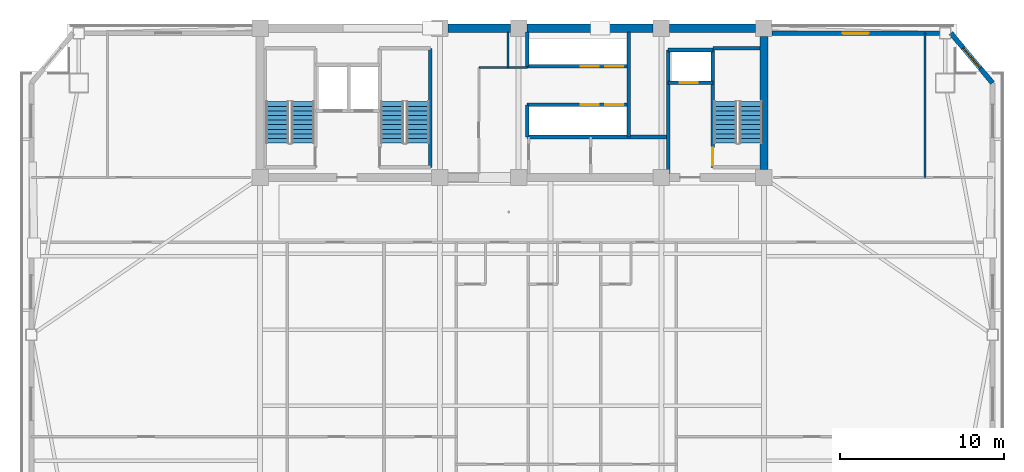
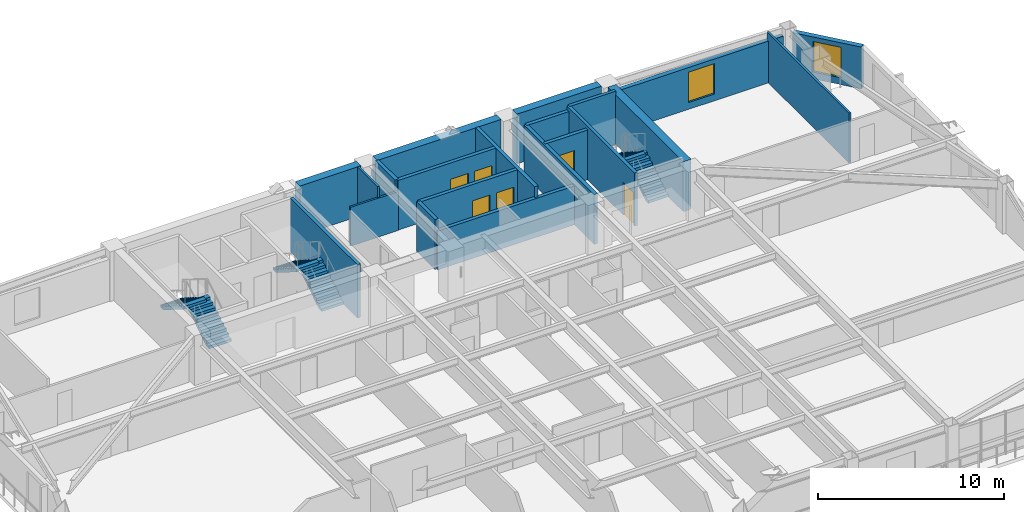
# One storey, part 10 of 15: 21 walls, 6 doors, 6 stair flights, 2 windows, 8 openings, 3 elements without a shape of their own.
"""IFC4 building model written with IfcOpenShell, lengths in metres."""

from ifc_helpers import new_model, si_unit, direction, frame, frame_2d, origin, place, context, subcontext, project, spatial, polyline, rectangle, outline, extrude, source, transform, mapped, material, layer, layer_set, type_object, element, fill, aggregate, save


model = new_model("IFC4")

# Units and contexts
model_context = context("Model", 3, precision=1e-05, world=origin(), true_north=direction((0.0, 1.0)))
body_context = subcontext(model_context, "Body", "Model", "MODEL_VIEW")
ifc_project = project(units=[si_unit("LENGTHUNIT", "METRE"), si_unit("AREAUNIT", "SQUARE_METRE"), si_unit("VOLUMEUNIT", "CUBIC_METRE"), si_unit("PLANEANGLEUNIT", "RADIAN"), si_unit("MASSUNIT", "GRAM", prefix="KILO")], contexts=[model_context])

# Site, building, storey
site_placement = place(None, origin())
site = spatial("IfcSite", under=ifc_project, at=site_placement, CompositionType="ELEMENT")
building_placement = place(site_placement, origin())
building = spatial("IfcBuilding", under=site, at=building_placement, Name="Giltprow Tower", CompositionType="ELEMENT")
storey_placement = place(building_placement, frame((0.0, 0.0, 173.699951171875)))
storey = spatial("IfcBuildingStorey", under=building, at=storey_placement, Name="L43", CompositionType="ELEMENT", Elevation=173.699951171875)

# Wall, opening, window
ifc_material_1 = material(Name="Precast concrete C40", Category="concrete")
ifc_layer_1 = layer(ifc_material_1, 0.300048828125, Name="Precast concrete C40")
ifc_layer_set_1 = layer_set([ifc_layer_1], Name="Precast concrete C40")
wall_type_1 = type_object("IfcWallType", Name="EW-NOTCH-CHAMFER-300", PredefinedType="SOLIDWALL", material=ifc_layer_set_1)
wall_1_placement = place(storey_placement, frame((64.48095703125, 43.212890625, 0.0), z_axis=(0.0, 0.0, 1.0), x_axis=(-0.641069950716, 0.767482454711, 0.0)))
wall_1 = element("IfcWall", 1, at=wall_1_placement, inside=storey, type_object=wall_type_1, Name="L43 Corner Notch Wall NE", PredefinedType="SOLIDWALL", context=body_context, shape_type="SweptSolid", body=[
    extrude(rectangle(XDim=3.957275390625, YDim=0.300048828125, at=frame_2d((1.978515625, 0.0))), origin(), (0.0, 0.0, 1.0), 2.75),
])
opening_1_placement = place(wall_1_placement, frame((1.178955078125, 0.0, 0.449951171875)))
opening_1 = element("IfcOpeningElement", 2, at=opening_1_placement, cuts=wall_1, Name="Opening WN17", PredefinedType="OPENING", context=body_context, shape_type="SweptSolid", body=[
    extrude(rectangle(XDim=1.60009765625, YDim=2.0, at=frame_2d((0.800048828125, 1.0))), frame((0.0, 0.159912109375, 0.0), z_axis=(0.0, -1.0, 0.0), x_axis=(1.0, 0.0, 0.0)), (0.0, 0.0, 1.0), 0.320068359375),
])
ifc_material_2 = material(Name="Insulated glass", Category="glass")
window_type = type_object("IfcWindowType", Name="WN-COR-1600x2000", PartitioningType="SINGLE_PANEL", PredefinedType="WINDOW", material=ifc_material_2)
shared_shape_1 = source(origin(), body_context, "Body", "SweptSolid", [
    extrude(rectangle(XDim=1.60009765625, YDim=2.0, at=frame_2d((0.800048828125, 1.0))), frame((0.0, 0.030029296875, 0.0), z_axis=(0.0, -1.0, 0.0), x_axis=(1.0, 0.0, 0.0)), (0.0, 0.0, 1.0), 0.06005859375),
])
window_1_placement = place(opening_1_placement, origin())
window_1 = element("IfcWindow", 3, at=window_1_placement, inside=storey, type_object=window_type, Name="L43 Corner Notch Window NE", OverallHeight=2.0, OverallWidth=1.60009765625, PartitioningType="SINGLE_PANEL", PredefinedType="WINDOW", context=body_context, shape_type="MappedRepresentation", body=[
    mapped(shared_shape_1, transform((0.0, 0.0, 0.0), x_axis=(1.0, 0.0, 0.0), y_axis=(0.0, 1.0, 0.0), z_axis=(0.0, 0.0, 1.0), scale=1.0)),
])
fill(opening_1, window_1)

ifc_layer_2 = layer(ifc_material_1, 0.280029296875, Name="Precast concrete C40")
ifc_layer_set_2 = layer_set([ifc_layer_2], Name="Precast concrete C40")
wall_type_2 = type_object("IfcWallType", Name="EW-TOW-BRONZE-280", PredefinedType="SOLIDWALL", material=ifc_layer_set_2)
wall_2_placement = place(storey_placement, frame((51.050048828125, 46.25, 0.0), z_axis=(0.0, 0.0, 1.0), x_axis=(1.0, 0.0, 0.0)))
wall_2 = element("IfcWall", 4, at=wall_2_placement, inside=storey, type_object=wall_type_2, Name="L43 North-East Wing Wall", PredefinedType="SOLIDWALL", context=body_context, shape_type="SweptSolid", body=[
    extrude(rectangle(XDim=10.19384765625, YDim=0.280029296875, at=frame_2d((5.096923828125, 0.0))), origin(), (0.0, 0.0, 1.0), 2.75),
])
opening_2_placement = place(wall_2_placement, frame((4.297119140625, 0.0, 0.449951171875)))
opening_2 = element("IfcOpeningElement", 5, at=opening_2_placement, cuts=wall_2, Name="Opening WN17", PredefinedType="OPENING", context=body_context, shape_type="SweptSolid", body=[
    extrude(rectangle(XDim=1.60009765625, YDim=2.0, at=frame_2d((0.800048828125, 1.0))), frame((0.0, 0.14990234375, 0.0), z_axis=(0.0, -1.0, 0.0), x_axis=(1.0, 0.0, 0.0)), (0.0, 0.0, 1.0), 0.300048828125),
])
window_2_placement = place(opening_2_placement, origin())
window_2 = element("IfcWindow", 6, at=window_2_placement, inside=storey, type_object=window_type, Name="L43 North-East Window", OverallHeight=2.0, OverallWidth=1.60009765625, PartitioningType="SINGLE_PANEL", PredefinedType="WINDOW", context=body_context, shape_type="MappedRepresentation", body=[
    mapped(shared_shape_1, transform((0.0, 0.0, 0.0), x_axis=(1.0, 0.0, 0.0), y_axis=(0.0, 1.0, 0.0), z_axis=(0.0, 0.0, 1.0), scale=1.0)),
])
fill(opening_2, window_2)

# Wall, opening, door
ifc_material_3 = material(Name="Concrete C40", Category="concrete")
ifc_layer_3 = layer(ifc_material_3, 0.219970703125, Name="Concrete C40")
ifc_layer_set_3 = layer_set([ifc_layer_3], Name="Concrete C40")
wall_type_3 = type_object("IfcWallType", Name="IW-SHAFT-220", PredefinedType="SOLIDWALL", material=ifc_layer_set_3)
wall_3_placement = place(storey_placement, frame((44.719970703125, 43.219970703125, 0.0), z_axis=(0.0, 0.0, 1.0), x_axis=(1.0, 0.0, 0.0)))
wall_3 = element("IfcWall", 7, at=wall_3_placement, inside=storey, type_object=wall_type_3, Name="L43 FFL2 Front Shaft Wall", PredefinedType="SOLIDWALL", context=body_context, shape_type="SweptSolid", body=[
    extrude(rectangle(XDim=2.719970703125, YDim=0.219970703125, at=frame_2d((1.35986328125, 0.0))), origin(), (0.0, 0.0, 1.0), 3.27001953125),
])
opening_3_placement = place(wall_3_placement, frame((0.699951171875, 0.0, 0.0)))
opening_3 = element("IfcOpeningElement", 8, at=opening_3_placement, cuts=wall_3, Name="Opening LD-11", PredefinedType="OPENING", context=body_context, shape_type="SweptSolid", body=[
    extrude(rectangle(XDim=1.10009765625, YDim=2.199951171875, at=frame_2d((0.550048828125, 1.10009765625))), frame((0.0, 0.119873046875, 0.0), z_axis=(0.0, -1.0, 0.0), x_axis=(1.0, 0.0, 0.0)), (0.0, 0.0, 1.0), 0.239990234375),
])
ifc_material_4 = material(Name="Stainless steel", Category="steel")
door_type_1 = type_object("IfcDoorType", Name="DR-LIFT-LD1100", OperationType="SLIDING_TO_LEFT", PredefinedType="DOOR", material=ifc_material_4)
shared_shape_2 = source(origin(), body_context, "Body", "SweptSolid", [
    extrude(rectangle(XDim=1.10009765625, YDim=2.199951171875, at=frame_2d((0.550048828125, 1.10009765625))), frame((0.0, 0.02490234375, 0.0), z_axis=(0.0, -1.0, 0.0), x_axis=(1.0, 0.0, 0.0)), (0.0, 0.0, 1.0), 0.050048828125),
])
door_1_placement = place(opening_3_placement, origin())
door_1 = element("IfcDoor", 9, at=door_1_placement, inside=storey, type_object=door_type_1, Name="L43 FFL2 Landing Door", OperationType="SLIDING_TO_LEFT", OverallHeight=2.199951171875, OverallWidth=1.10009765625, PredefinedType="DOOR", context=body_context, shape_type="MappedRepresentation", body=[
    mapped(shared_shape_2, transform((0.0, 0.0, 0.0), x_axis=(1.0, 0.0, 0.0), y_axis=(0.0, 1.0, 0.0), z_axis=(0.0, 0.0, 1.0), scale=1.0)),
])
fill(opening_3, door_1)

# Walls
wall_4_placement = place(storey_placement, frame((44.719970703125, 45.219970703125, 0.0), z_axis=(0.0, 0.0, 1.0), x_axis=(1.0, 0.0, 0.0)))
element("IfcWall", 10, at=wall_4_placement, inside=storey, type_object=wall_type_3, Name="L43 FFL2 Back Shaft Wall", PredefinedType="SOLIDWALL", context=body_context, shape_type="SweptSolid", body=[
    extrude(rectangle(XDim=2.719970703125, YDim=0.219970703125, at=frame_2d((1.35986328125, 0.0))), origin(), (0.0, 0.0, 1.0), 3.27001953125),
])
wall_5_placement = place(storey_placement, frame((44.719970703125, 37.679931640625, 0.0), z_axis=(0.0, 0.0, 1.0), x_axis=(0.0, 1.0, 0.0)))
element("IfcWall", 11, at=wall_5_placement, inside=storey, type_object=wall_type_3, Name="L43 East Firefighting Lobby West Wall", PredefinedType="SOLIDWALL", context=body_context, shape_type="SweptSolid", body=[
    extrude(rectangle(XDim=7.5400390625, YDim=0.219970703125, at=frame_2d((3.77001953125, 0.0))), origin(), (0.0, 0.0, 1.0), 3.27001953125),
])

# Wall, openings, doors
wall_6_placement = place(storey_placement, frame((36.1201171875, 44.219970703125, 0.0), z_axis=(0.0, 0.0, 1.0), x_axis=(1.0, 0.0, 0.0)))
wall_6 = element("IfcWall", 12, at=wall_6_placement, inside=storey, type_object=wall_type_3, Name="L43 Mid-Rise Lift Shaft Front Wall N", PredefinedType="SOLIDWALL", context=body_context, shape_type="SweptSolid", body=[
    extrude(rectangle(XDim=6.199951171875, YDim=0.219970703125, at=frame_2d((3.10009765625, 0.0))), origin(), (0.0, 0.0, 1.0), 3.27001953125),
])
opening_4_placement = place(wall_6_placement, frame((3.280029296875, 0.0, 0.0)))
opening_4 = element("IfcOpeningElement", 13, at=opening_4_placement, cuts=wall_6, Name="Opening LD-11", PredefinedType="OPENING", context=body_context, shape_type="SweptSolid", body=[
    extrude(rectangle(XDim=1.10009765625, YDim=2.199951171875, at=frame_2d((0.550048828125, 1.10009765625))), frame((0.0, 0.119873046875, 0.0), z_axis=(0.0, -1.0, 0.0), x_axis=(1.0, 0.0, 0.0)), (0.0, 0.0, 1.0), 0.239990234375),
])
opening_5_placement = place(wall_6_placement, frame((4.77001953125, 0.0, 0.0)))
opening_5 = element("IfcOpeningElement", 14, at=opening_5_placement, cuts=wall_6, Name="Opening LD-11", PredefinedType="OPENING", context=body_context, shape_type="SweptSolid", body=[
    extrude(rectangle(XDim=1.10009765625, YDim=2.199951171875, at=frame_2d((0.550048828125, 1.10009765625))), frame((0.0, 0.119873046875, 0.0), z_axis=(0.0, -1.0, 0.0), x_axis=(1.0, 0.0, 0.0)), (0.0, 0.0, 1.0), 0.239990234375),
])
door_2_placement = place(opening_4_placement, origin())
door_2 = element("IfcDoor", 15, at=door_2_placement, inside=storey, type_object=door_type_1, Name="L43 PL-M1 Landing Door", OperationType="SLIDING_TO_LEFT", OverallHeight=2.199951171875, OverallWidth=1.10009765625, PredefinedType="DOOR", context=body_context, shape_type="MappedRepresentation", body=[
    mapped(shared_shape_2, transform((0.0, 0.0, 0.0), x_axis=(1.0, 0.0, 0.0), y_axis=(0.0, 1.0, 0.0), z_axis=(0.0, 0.0, 1.0), scale=1.0)),
])
fill(opening_4, door_2)
door_3_placement = place(opening_5_placement, origin())
door_3 = element("IfcDoor", 16, at=door_3_placement, inside=storey, type_object=door_type_1, Name="L43 PL-M2 Landing Door", OperationType="SLIDING_TO_LEFT", OverallHeight=2.199951171875, OverallWidth=1.10009765625, PredefinedType="DOOR", context=body_context, shape_type="MappedRepresentation", body=[
    mapped(shared_shape_2, transform((0.0, 0.0, 0.0), x_axis=(1.0, 0.0, 0.0), y_axis=(0.0, 1.0, 0.0), z_axis=(0.0, 0.0, 1.0), scale=1.0)),
])
fill(opening_5, door_3)

wall_7_placement = place(storey_placement, frame((36.1201171875, 41.8798828125, 0.0), z_axis=(0.0, 0.0, 1.0), x_axis=(1.0, 0.0, 0.0)))
wall_7 = element("IfcWall", 17, at=wall_7_placement, inside=storey, type_object=wall_type_3, Name="L43 Mid-Rise Lift Shaft Front Wall S", PredefinedType="SOLIDWALL", context=body_context, shape_type="SweptSolid", body=[
    extrude(rectangle(XDim=6.199951171875, YDim=0.219970703125, at=frame_2d((3.10009765625, 0.0))), origin(), (0.0, 0.0, 1.0), 3.27001953125),
])
opening_6_placement = place(wall_7_placement, frame((3.280029296875, 0.0, 0.0)))
opening_6 = element("IfcOpeningElement", 18, at=opening_6_placement, cuts=wall_7, Name="Opening LD-11", PredefinedType="OPENING", context=body_context, shape_type="SweptSolid", body=[
    extrude(rectangle(XDim=1.10009765625, YDim=2.199951171875, at=frame_2d((0.550048828125, 1.10009765625))), frame((0.0, 0.119873046875, 0.0), z_axis=(0.0, -1.0, 0.0), x_axis=(1.0, 0.0, 0.0)), (0.0, 0.0, 1.0), 0.239990234375),
])
opening_7_placement = place(wall_7_placement, frame((4.77001953125, 0.0, 0.0)))
opening_7 = element("IfcOpeningElement", 19, at=opening_7_placement, cuts=wall_7, Name="Opening LD-11", PredefinedType="OPENING", context=body_context, shape_type="SweptSolid", body=[
    extrude(rectangle(XDim=1.10009765625, YDim=2.199951171875, at=frame_2d((0.550048828125, 1.10009765625))), frame((0.0, 0.119873046875, 0.0), z_axis=(0.0, -1.0, 0.0), x_axis=(1.0, 0.0, 0.0)), (0.0, 0.0, 1.0), 0.239990234375),
])
door_4_placement = place(opening_6_placement, origin())
door_4 = element("IfcDoor", 20, at=door_4_placement, inside=storey, type_object=door_type_1, Name="L43 PL-M3 Landing Door", OperationType="SLIDING_TO_LEFT", OverallHeight=2.199951171875, OverallWidth=1.10009765625, PredefinedType="DOOR", context=body_context, shape_type="MappedRepresentation", body=[
    mapped(shared_shape_2, transform((0.0, 0.0, 0.0), x_axis=(1.0, 0.0, 0.0), y_axis=(0.0, 1.0, 0.0), z_axis=(0.0, 0.0, 1.0), scale=1.0)),
])
fill(opening_6, door_4)
door_5_placement = place(opening_7_placement, origin())
door_5 = element("IfcDoor", 21, at=door_5_placement, inside=storey, type_object=door_type_1, Name="L43 PL-M4 Landing Door", OperationType="SLIDING_TO_LEFT", OverallHeight=2.199951171875, OverallWidth=1.10009765625, PredefinedType="DOOR", context=body_context, shape_type="MappedRepresentation", body=[
    mapped(shared_shape_2, transform((0.0, 0.0, 0.0), x_axis=(1.0, 0.0, 0.0), y_axis=(0.0, 1.0, 0.0), z_axis=(0.0, 0.0, 1.0), scale=1.0)),
])
fill(opening_7, door_5)

# Walls
wall_8_placement = place(storey_placement, frame((36.1201171875, 39.919921875, 0.0), z_axis=(0.0, 0.0, 1.0), x_axis=(1.0, 0.0, 0.0)))
element("IfcWall", 22, at=wall_8_placement, inside=storey, type_object=wall_type_3, Name="L43 Mid-Rise South Lift Back Wall", PredefinedType="SOLIDWALL", context=body_context, shape_type="SweptSolid", body=[
    extrude(rectangle(XDim=8.599853515625, YDim=0.219970703125, at=frame_2d((4.2998046875, 0.0))), origin(), (0.0, 0.0, 1.0), 2.554931640625),
])
wall_9_placement = place(storey_placement, frame((42.320068359375, 39.919921875, 0.0), z_axis=(0.0, 0.0, 1.0), x_axis=(0.0, 1.0, 0.0)))
element("IfcWall", 23, at=wall_9_placement, inside=storey, type_object=wall_type_3, Name="L43 Mid-Rise Lift Bank East Closure", PredefinedType="SOLIDWALL", context=body_context, shape_type="SweptSolid", body=[
    extrude(rectangle(XDim=6.400146484375, YDim=0.219970703125, at=frame_2d((3.2001953125, 0.0))), origin(), (0.0, 0.0, 1.0), 3.27001953125),
])
wall_10_placement = place(storey_placement, frame((36.1201171875, 39.919921875, 0.0), z_axis=(0.0, 0.0, 1.0), x_axis=(0.0, 1.0, 0.0)))
element("IfcWall", 24, at=wall_10_placement, inside=storey, type_object=wall_type_3, Name="L43 Mid-Rise South Lift West Closure", PredefinedType="SOLIDWALL", context=body_context, shape_type="SweptSolid", body=[
    extrude(rectangle(XDim=1.9599609375, YDim=0.219970703125, at=frame_2d((0.97998046875, 0.0))), origin(), (0.0, 0.0, 1.0), 3.27001953125),
])
wall_11_placement = place(storey_placement, frame((36.1201171875, 44.219970703125, 0.0), z_axis=(0.0, 0.0, 1.0), x_axis=(0.0, 1.0, 0.0)))
element("IfcWall", 25, at=wall_11_placement, inside=storey, type_object=wall_type_3, Name="L43 Mid-Rise North Lift West Closure", PredefinedType="SOLIDWALL", context=body_context, shape_type="SweptSolid", body=[
    extrude(rectangle(XDim=2.10009765625, YDim=0.219970703125, at=frame_2d((1.050048828125, 0.0))), origin(), (0.0, 0.0, 1.0), 3.27001953125),
])
ifc_layer_4 = layer(ifc_material_3, 0.199951171875, Name="Concrete C40")
ifc_layer_set_4 = layer_set([ifc_layer_4], Name="Concrete C40")
wall_type_4 = type_object("IfcWallType", Name="IW-STAIR-200", PredefinedType="SOLIDWALL", material=ifc_layer_set_4)
wall_12_placement = place(storey_placement, frame((30.219970703125, 38.070068359375, 0.0), z_axis=(0.0, 0.0, 1.0), x_axis=(0.0, 1.0, 0.0)))
element("IfcWall", 26, at=wall_12_placement, inside=storey, type_object=wall_type_4, Name="L43 Stair ST-2 East Bearing Wall", PredefinedType="SOLIDWALL", context=body_context, shape_type="SweptSolid", body=[
    extrude(rectangle(XDim=7.25, YDim=0.199951171875, at=frame_2d((3.625, 0.0))), origin(), (0.0, 0.0, 1.0), 3.5),
])

# Wall, opening, door
wall_13_placement = place(storey_placement, frame((47.43994140625, 38.070068359375, 0.0), z_axis=(0.0, 0.0, 1.0), x_axis=(0.0, 1.0, 0.0)))
wall_13 = element("IfcWall", 27, at=wall_13_placement, inside=storey, type_object=wall_type_4, Name="L43 Stair ST-3 West Bearing Wall", PredefinedType="SOLIDWALL", context=body_context, shape_type="SweptSolid", body=[
    extrude(rectangle(XDim=7.25, YDim=0.199951171875, at=frame_2d((3.625, 0.0))), origin(), (0.0, 0.0, 1.0), 3.5),
])
opening_8_placement = place(wall_13_placement, frame((0.110107421875, 0.0, 0.0)))
opening_8 = element("IfcOpeningElement", 28, at=opening_8_placement, cuts=wall_13, Name="Opening ID33", PredefinedType="OPENING", context=body_context, shape_type="SweptSolid", body=[
    extrude(rectangle(XDim=1.10009765625, YDim=2.14990234375, at=frame_2d((0.550048828125, 1.074951171875))), frame((0.0, 0.10986328125, 0.0), z_axis=(0.0, -1.0, 0.0), x_axis=(1.0, 0.0, 0.0)), (0.0, 0.0, 1.0), 0.219970703125),
])
ifc_material_5 = material(Name="Steel fire leaf", Category="steel")
door_type_2 = type_object("IfcDoorType", Name="DR-STAIR-1100", OperationType="SINGLE_SWING_LEFT", PredefinedType="DOOR", material=ifc_material_5)
shared_shape_3 = source(origin(), body_context, "Body", "SweptSolid", [
    extrude(rectangle(XDim=1.10009765625, YDim=2.14990234375, at=frame_2d((0.550048828125, 1.074951171875))), frame((0.0, 0.02490234375, 0.0), z_axis=(0.0, -1.0, 0.0), x_axis=(1.0, 0.0, 0.0)), (0.0, 0.0, 1.0), 0.050048828125),
])
door_6_placement = place(opening_8_placement, origin())
door_6 = element("IfcDoor", 29, at=door_6_placement, inside=storey, type_object=door_type_2, Name="L43 Stair ST-3 Fire Door", OperationType="SINGLE_SWING_LEFT", OverallHeight=2.14990234375, OverallWidth=1.10009765625, PredefinedType="DOOR", context=body_context, shape_type="MappedRepresentation", body=[
    mapped(shared_shape_3, transform((0.0, 0.0, 0.0), x_axis=(1.0, 0.0, 0.0), y_axis=(0.0, 1.0, 0.0), z_axis=(0.0, 0.0, 1.0), scale=1.0)),
])
fill(opening_8, door_6)

# Walls
wall_14_placement = place(storey_placement, frame((47.43994140625, 45.320068359375, 0.0), z_axis=(0.0, 0.0, 1.0), x_axis=(1.0, 0.0, 0.0)))
element("IfcWall", 30, at=wall_14_placement, inside=storey, type_object=wall_type_4, Name="L43 Stair ST-3 North Bearing Wall", PredefinedType="SOLIDWALL", context=body_context, shape_type="SweptSolid", body=[
    extrude(rectangle(XDim=2.880126953125, YDim=0.199951171875, at=frame_2d((1.43994140625, 0.0))), origin(), (0.0, 0.0, 1.0), 3.5),
])
ifc_material_6 = material(Name="Concrete C30", Category="concrete")
ifc_layer_5 = layer(ifc_material_6, 0.1298828125, Name="Concrete C30")
ifc_layer_set_5 = layer_set([ifc_layer_5], Name="Concrete C30")
wall_type_5 = type_object("IfcWallType", Name="IW-WET-130", PredefinedType="PARTITIONING", material=ifc_layer_set_5)
wall_15_placement = place(storey_placement, frame((34.949951171875, 44.14990234375, 0.0), z_axis=(0.0, 0.0, 1.0), x_axis=(0.0, 1.0, 0.0)))
element("IfcWall", 31, at=wall_15_placement, inside=storey, type_object=wall_type_5, Name="L43 Reclaimed North Pocket East Wall", PredefinedType="PARTITIONING", context=body_context, shape_type="SweptSolid", body=[
    extrude(rectangle(XDim=2.170166015625, YDim=0.1298828125, at=frame_2d((1.0849609375, 0.0))), origin(), (0.0, 0.0, 1.0), 3.27001953125),
])
wall_16_placement = place(storey_placement, frame((33.179931640625, 44.14990234375, 0.0), z_axis=(0.0, 0.0, 1.0), x_axis=(1.0, 0.0, 0.0)))
element("IfcWall", 32, at=wall_16_placement, inside=storey, type_object=wall_type_5, Name="L43 Reclaimed North Pocket South Wall", PredefinedType="PARTITIONING", context=body_context, shape_type="SweptSolid", body=[
    extrude(rectangle(XDim=2.969970703125, YDim=0.1298828125, at=frame_2d((1.48486328125, 0.0))), origin(), (0.0, 0.0, 1.0), 2.554931640625),
])
wall_17_placement = place(storey_placement, frame((60.3720703125, 37.449951171875, 0.0), z_axis=(0.0, 0.0, 1.0), x_axis=(0.0, 1.0, 0.0)))
element("IfcWall", 33, at=wall_17_placement, inside=storey, type_object=wall_type_5, Name="L43 NE Wing Divider", PredefinedType="PARTITIONING", context=body_context, shape_type="SweptSolid", body=[
    extrude(rectangle(XDim=8.800048828125, YDim=0.1298828125, at=frame_2d((4.39990234375, 0.0))), origin(), (0.0, 0.0, 1.0), 3.27001953125),
])
ifc_material_7 = material(Name="Concrete C50", Category="concrete")
ifc_layer_6 = layer(ifc_material_7, 0.5, Name="Concrete C50")
ifc_layer_set_6 = layer_set([ifc_layer_6], Name="Concrete C50")
wall_type_6 = type_object("IfcWallType", Name="SW-EXT-500-C50", PredefinedType="SHEAR", material=ifc_layer_set_6)
wall_18_placement = place(storey_placement, frame((31.300048828125, 46.550048828125, 0.0), z_axis=(0.0, 0.0, 1.0), x_axis=(1.0, 0.0, 0.0)))
element("IfcWall", 34, at=wall_18_placement, inside=storey, type_object=wall_type_6, Name="L43 North Rear Core Shear Wall 2", PredefinedType="SHEAR", context=body_context, shape_type="SweptSolid", body=[
    extrude(rectangle(XDim=3.800048828125, YDim=0.5, at=frame_2d((1.89990234375, 0.0))), origin(), (0.0, 0.0, 1.0), 3.27001953125),
])
wall_19_placement = place(storey_placement, frame((36.10009765625, 46.550048828125, 0.0), z_axis=(0.0, 0.0, 1.0), x_axis=(1.0, 0.0, 0.0)))
element("IfcWall", 35, at=wall_19_placement, inside=storey, type_object=wall_type_6, Name="L43 North Rear Core Shear Wall 3", PredefinedType="SHEAR", context=body_context, shape_type="SweptSolid", body=[
    extrude(rectangle(XDim=7.699951171875, YDim=0.5, at=frame_2d((3.85009765625, 0.0))), origin(), (0.0, 0.0, 1.0), 3.27001953125),
])
wall_20_placement = place(storey_placement, frame((44.800048828125, 46.550048828125, 0.0), z_axis=(0.0, 0.0, 1.0), x_axis=(1.0, 0.0, 0.0)))
element("IfcWall", 36, at=wall_20_placement, inside=storey, type_object=wall_type_6, Name="L43 North Rear Core Shear Wall 4", PredefinedType="SHEAR", context=body_context, shape_type="SweptSolid", body=[
    extrude(rectangle(XDim=5.25, YDim=0.5, at=frame_2d((2.625, 0.0))), origin(), (0.0, 0.0, 1.0), 3.27001953125),
])
ifc_layer_7 = layer(ifc_material_7, 0.5, Name="Concrete C50")
ifc_layer_set_7 = layer_set([ifc_layer_7], Name="Concrete C50")
wall_type_7 = type_object("IfcWallType", Name="SW-INT-500-C50", PredefinedType="SHEAR", material=ifc_layer_set_7)
wall_21_placement = place(storey_placement, frame((50.550048828125, 37.949951171875, 0.0), z_axis=(0.0, 0.0, 1.0), x_axis=(0.0, 1.0, 0.0)))
element("IfcWall", 37, at=wall_21_placement, inside=storey, type_object=wall_type_7, Name="L43 E Rear Core Shear Wall", PredefinedType="SHEAR", context=body_context, shape_type="SweptSolid", body=[
    extrude(rectangle(XDim=8.10009765625, YDim=0.5, at=frame_2d((4.050048828125, 0.0))), origin(), (0.0, 0.0, 1.0), 3.27001953125),
])

# Stair, stair flights
stair_type_1 = type_object("IfcStairType", Name="STR-ST-1", PredefinedType="HALF_TURN_STAIR", material=ifc_material_3)
stair_1_placement = place(storey_placement, origin())
stair_1 = element("IfcStair", 38, at=stair_1_placement, inside=storey, type_object=stair_type_1, Name="L43 Core Exit Stair ST-1", PredefinedType="HALF_TURN_STAIR")
stair_flight_type_1 = type_object("IfcStairFlightType", Name="SFL-ST-1", PredefinedType="STRAIGHT", material=ifc_material_3)
stair_flight_1_placement = place(storey_placement, frame((22.4599609375, 39.550048828125, 0.0), z_axis=(0.0, 0.0, 1.0), x_axis=(0.0, 1.0, 0.0)))
stair_flight_1 = element("IfcStairFlight", 39, at=stair_flight_1_placement, type_object=stair_flight_type_1, Name="ST-1 flight 1", NumberOfRisers=10, NumberOfTreads=9, PredefinedType="STRAIGHT", RiserHeight=0.175, TreadLength=0.28, context=body_context, shape_type="SweptSolid", body=[
    extrude(outline(polyline([(0.0, 0.0), (0.0, 0.175048828125), (0.280029296875, 0.175048828125), (0.280029296875, 0.35009765625), (0.56005859375, 0.35009765625), (0.56005859375, 0.52490234375), (0.840087890625, 0.52490234375), (0.840087890625, 0.699951171875), (1.1201171875, 0.699951171875), (1.1201171875, 0.875), (1.39990234375, 0.875), (1.39990234375, 1.050048828125), (1.679931640625, 1.050048828125), (1.679931640625, 1.22509765625), (1.9599609375, 1.22509765625), (1.9599609375, 1.39990234375), (2.239990234375, 1.39990234375), (2.239990234375, 1.574951171875), (2.52001953125, 1.574951171875), (2.52001953125, 1.75), (2.52001953125, 1.398193359375), (0.28271484375, 0.0), (0.0, 0.0)])), frame((0.0, 0.699951171875, 0.0), z_axis=(0.0, -1.0, 0.0), x_axis=(1.0, 0.0, 0.0)), (0.0, 0.0, 1.0), 1.39990234375),
])
stair_flight_2_placement = place(storey_placement, frame((20.89990234375, 42.070068359375, 1.75), z_axis=(0.0, 0.0, 1.0), x_axis=(0.0, -1.0, 0.0)))
stair_flight_2 = element("IfcStairFlight", 40, at=stair_flight_2_placement, type_object=stair_flight_type_1, Name="ST-1 flight 2", NumberOfRisers=10, NumberOfTreads=9, PredefinedType="STRAIGHT", RiserHeight=0.175, TreadLength=0.28, context=body_context, shape_type="SweptSolid", body=[
    extrude(outline(polyline([(0.0, 0.0), (0.0, 0.175048828125), (0.280029296875, 0.175048828125), (0.280029296875, 0.35009765625), (0.56005859375, 0.35009765625), (0.56005859375, 0.52490234375), (0.840087890625, 0.52490234375), (0.840087890625, 0.699951171875), (1.1201171875, 0.699951171875), (1.1201171875, 0.875), (1.39990234375, 0.875), (1.39990234375, 1.050048828125), (1.679931640625, 1.050048828125), (1.679931640625, 1.22509765625), (1.9599609375, 1.22509765625), (1.9599609375, 1.39990234375), (2.239990234375, 1.39990234375), (2.239990234375, 1.574951171875), (2.52001953125, 1.574951171875), (2.52001953125, 1.75), (2.52001953125, 1.398193359375), (0.28271484375, 0.0), (0.0, 0.0)])), frame((0.0, 0.699951171875, 0.0), z_axis=(0.0, -1.0, 0.0), x_axis=(1.0, 0.0, 0.0)), (0.0, 0.0, 1.0), 1.39990234375),
])
aggregate(stair_1, [stair_flight_1, stair_flight_2])

stair_type_2 = type_object("IfcStairType", Name="STR-ST-2", PredefinedType="HALF_TURN_STAIR", material=ifc_material_3)
stair_2_placement = place(storey_placement, origin())
stair_2 = element("IfcStair", 41, at=stair_2_placement, inside=storey, type_object=stair_type_2, Name="L43 Core Exit Stair ST-2", PredefinedType="HALF_TURN_STAIR")
stair_flight_type_2 = type_object("IfcStairFlightType", Name="SFL-ST-2", PredefinedType="STRAIGHT", material=ifc_material_3)
stair_flight_3_placement = place(storey_placement, frame((29.4599609375, 39.550048828125, 0.0), z_axis=(0.0, 0.0, 1.0), x_axis=(0.0, 1.0, 0.0)))
stair_flight_3 = element("IfcStairFlight", 42, at=stair_flight_3_placement, type_object=stair_flight_type_2, Name="ST-2 flight 1", NumberOfRisers=10, NumberOfTreads=9, PredefinedType="STRAIGHT", RiserHeight=0.175, TreadLength=0.28, context=body_context, shape_type="SweptSolid", body=[
    extrude(outline(polyline([(0.0, 0.0), (0.0, 0.175048828125), (0.280029296875, 0.175048828125), (0.280029296875, 0.35009765625), (0.56005859375, 0.35009765625), (0.56005859375, 0.52490234375), (0.840087890625, 0.52490234375), (0.840087890625, 0.699951171875), (1.1201171875, 0.699951171875), (1.1201171875, 0.875), (1.39990234375, 0.875), (1.39990234375, 1.050048828125), (1.679931640625, 1.050048828125), (1.679931640625, 1.22509765625), (1.9599609375, 1.22509765625), (1.9599609375, 1.39990234375), (2.239990234375, 1.39990234375), (2.239990234375, 1.574951171875), (2.52001953125, 1.574951171875), (2.52001953125, 1.75), (2.52001953125, 1.398193359375), (0.28271484375, 0.0), (0.0, 0.0)])), frame((0.0, 0.699951171875, 0.0), z_axis=(0.0, -1.0, 0.0), x_axis=(1.0, 0.0, 0.0)), (0.0, 0.0, 1.0), 1.39990234375),
])
stair_flight_4_placement = place(storey_placement, frame((27.89990234375, 42.070068359375, 1.75), z_axis=(0.0, 0.0, 1.0), x_axis=(0.0, -1.0, 0.0)))
stair_flight_4 = element("IfcStairFlight", 43, at=stair_flight_4_placement, type_object=stair_flight_type_2, Name="ST-2 flight 2", NumberOfRisers=10, NumberOfTreads=9, PredefinedType="STRAIGHT", RiserHeight=0.175, TreadLength=0.28, context=body_context, shape_type="SweptSolid", body=[
    extrude(outline(polyline([(0.0, 0.0), (0.0, 0.175048828125), (0.280029296875, 0.175048828125), (0.280029296875, 0.35009765625), (0.56005859375, 0.35009765625), (0.56005859375, 0.52490234375), (0.840087890625, 0.52490234375), (0.840087890625, 0.699951171875), (1.1201171875, 0.699951171875), (1.1201171875, 0.875), (1.39990234375, 0.875), (1.39990234375, 1.050048828125), (1.679931640625, 1.050048828125), (1.679931640625, 1.22509765625), (1.9599609375, 1.22509765625), (1.9599609375, 1.39990234375), (2.239990234375, 1.39990234375), (2.239990234375, 1.574951171875), (2.52001953125, 1.574951171875), (2.52001953125, 1.75), (2.52001953125, 1.398193359375), (0.28271484375, 0.0), (0.0, 0.0)])), frame((0.0, 0.699951171875, 0.0), z_axis=(0.0, -1.0, 0.0), x_axis=(1.0, 0.0, 0.0)), (0.0, 0.0, 1.0), 1.39990234375),
])
aggregate(stair_2, [stair_flight_3, stair_flight_4])

stair_type_3 = type_object("IfcStairType", Name="STR-ST-3", PredefinedType="HALF_TURN_STAIR", material=ifc_material_3)
stair_3_placement = place(storey_placement, origin())
stair_3 = element("IfcStair", 44, at=stair_3_placement, inside=storey, type_object=stair_type_3, Name="L43 Core Exit Stair ST-3", PredefinedType="HALF_TURN_STAIR")
stair_flight_type_3 = type_object("IfcStairFlightType", Name="SFL-ST-3", PredefinedType="STRAIGHT", material=ifc_material_3)
stair_flight_5_placement = place(storey_placement, frame((49.760009765625, 39.550048828125, 0.0), z_axis=(0.0, 0.0, 1.0), x_axis=(0.0, 1.0, 0.0)))
stair_flight_5 = element("IfcStairFlight", 45, at=stair_flight_5_placement, type_object=stair_flight_type_3, Name="ST-3 flight 1", NumberOfRisers=10, NumberOfTreads=9, PredefinedType="STRAIGHT", RiserHeight=0.175, TreadLength=0.28, context=body_context, shape_type="SweptSolid", body=[
    extrude(outline(polyline([(0.0, 0.0), (0.0, 0.175048828125), (0.280029296875, 0.175048828125), (0.280029296875, 0.35009765625), (0.56005859375, 0.35009765625), (0.56005859375, 0.52490234375), (0.840087890625, 0.52490234375), (0.840087890625, 0.699951171875), (1.1201171875, 0.699951171875), (1.1201171875, 0.875), (1.39990234375, 0.875), (1.39990234375, 1.050048828125), (1.679931640625, 1.050048828125), (1.679931640625, 1.22509765625), (1.9599609375, 1.22509765625), (1.9599609375, 1.39990234375), (2.239990234375, 1.39990234375), (2.239990234375, 1.574951171875), (2.52001953125, 1.574951171875), (2.52001953125, 1.75), (2.52001953125, 1.398193359375), (0.28271484375, 0.0), (0.0, 0.0)])), frame((0.0, 0.699951171875, 0.0), z_axis=(0.0, -1.0, 0.0), x_axis=(1.0, 0.0, 0.0)), (0.0, 0.0, 1.0), 1.39990234375),
])
stair_flight_6_placement = place(storey_placement, frame((48.199951171875, 42.070068359375, 1.75), z_axis=(0.0, 0.0, 1.0), x_axis=(0.0, -1.0, 0.0)))
stair_flight_6 = element("IfcStairFlight", 46, at=stair_flight_6_placement, type_object=stair_flight_type_3, Name="ST-3 flight 2", NumberOfRisers=10, NumberOfTreads=9, PredefinedType="STRAIGHT", RiserHeight=0.175, TreadLength=0.28, context=body_context, shape_type="SweptSolid", body=[
    extrude(outline(polyline([(0.0, 0.0), (0.0, 0.175048828125), (0.280029296875, 0.175048828125), (0.280029296875, 0.35009765625), (0.56005859375, 0.35009765625), (0.56005859375, 0.52490234375), (0.840087890625, 0.52490234375), (0.840087890625, 0.699951171875), (1.1201171875, 0.699951171875), (1.1201171875, 0.875), (1.39990234375, 0.875), (1.39990234375, 1.050048828125), (1.679931640625, 1.050048828125), (1.679931640625, 1.22509765625), (1.9599609375, 1.22509765625), (1.9599609375, 1.39990234375), (2.239990234375, 1.39990234375), (2.239990234375, 1.574951171875), (2.52001953125, 1.574951171875), (2.52001953125, 1.75), (2.52001953125, 1.398193359375), (0.28271484375, 0.0), (0.0, 0.0)])), frame((0.0, 0.699951171875, 0.0), z_axis=(0.0, -1.0, 0.0), x_axis=(1.0, 0.0, 0.0)), (0.0, 0.0, 1.0), 1.39990234375),
])
aggregate(stair_3, [stair_flight_5, stair_flight_6])

save(model, "model.ifc")
